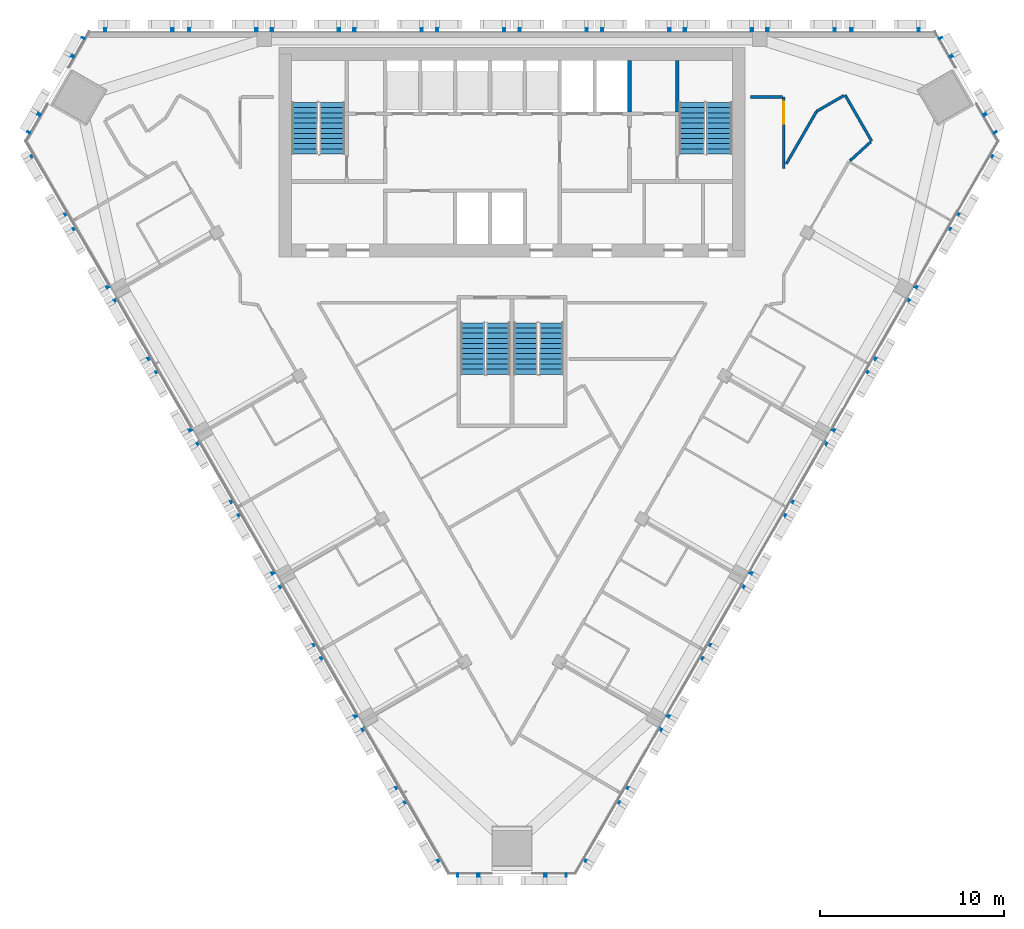
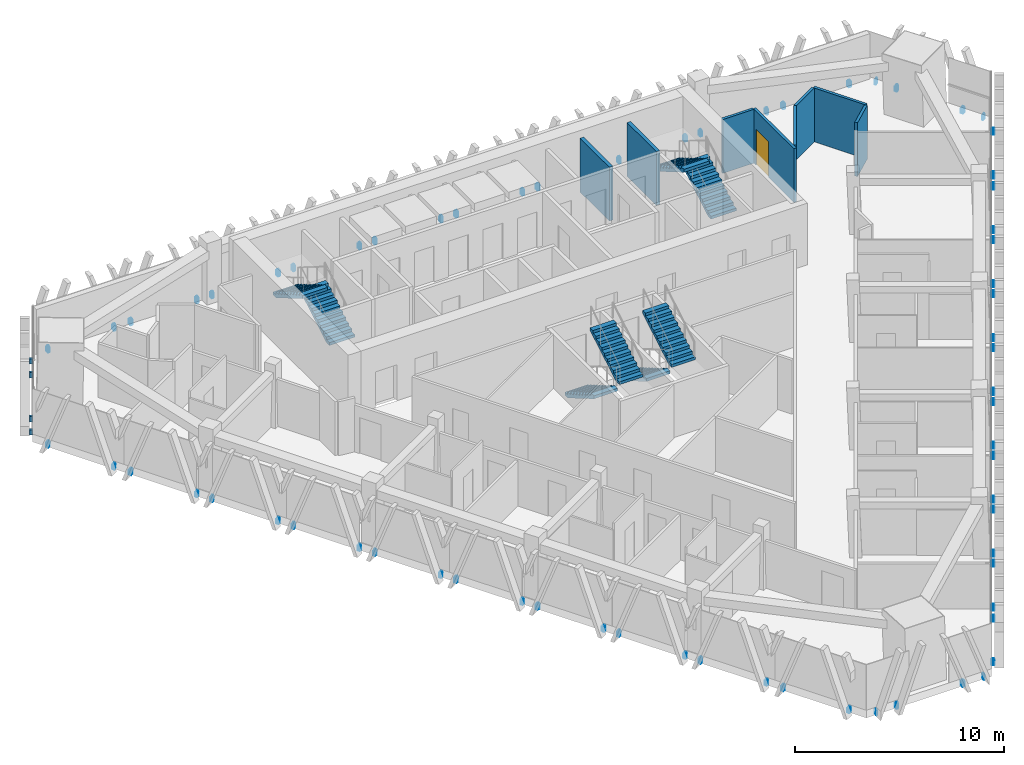
# One storey, part 12 of 15: 8 stair flights, 8 walls, 6 discrete accessories, 1 door, 1 opening, 4 elements without a shape of their own.
"""IFC4 building model written with IfcOpenShell, lengths in metres."""

from ifc_helpers import new_model, si_unit, direction, frame, frame_2d, origin, place, context, subcontext, project, spatial, polyline, rectangle, outline, extrude, source, transform, mapped, material, layer, layer_set, type_object, element, fill, aggregate, save


model = new_model("IFC4")

# Units and contexts
model_context = context("Model", 3, precision=1e-05, world=origin(), true_north=direction((0.0, 1.0)))
body_context = subcontext(model_context, "Body", "Model", "MODEL_VIEW")
ifc_project = project(units=[si_unit("LENGTHUNIT", "METRE"), si_unit("AREAUNIT", "SQUARE_METRE"), si_unit("VOLUMEUNIT", "CUBIC_METRE"), si_unit("PLANEANGLEUNIT", "RADIAN"), si_unit("MASSUNIT", "GRAM", prefix="KILO")], contexts=[model_context])

# Site, building, storey
site_placement = place(None, origin())
site = spatial("IfcSite", under=ifc_project, at=site_placement, CompositionType="ELEMENT")
building_placement = place(site_placement, origin())
building = spatial("IfcBuilding", under=site, at=building_placement, Name="Altiplano Prism Tower", CompositionType="ELEMENT")
storey_placement = place(building_placement, frame((0.0, 0.0, 171.0)))
storey = spatial("IfcBuildingStorey", under=building, at=storey_placement, Name="L44", CompositionType="ELEMENT", Elevation=171.0)

# Walls
ifc_material_1 = material(Name="Plasterboard on steel stud", Category="steel")
ifc_layer_1 = layer(ifc_material_1, 0.14990234375)
ifc_layer_set_1 = layer_set([ifc_layer_1], Name="Plasterboard on steel stud")
wall_type_1 = type_object("IfcWallType", Name="Partition 150 corridor", PredefinedType="PARTITIONING", material=ifc_layer_set_1)
wall_1_placement = place(storey_placement, frame((103.4140625, 97.931640625, 0.0), z_axis=(0.0, 0.0, 1.0), x_axis=(0.73878425035, 0.673942008955, 0.0)))
element("IfcWall", 1, at=wall_1_placement, inside=storey, type_object=wall_type_1, Name="Partition P06 L44 014", PredefinedType="PARTITIONING", context=body_context, shape_type="SweptSolid", body=[
    extrude(rectangle(XDim=1.521240234375, YDim=0.14990234375, at=frame_2d((0.7607421875, 0.0))), origin(), (0.0, 0.0, 1.0), 3.14990234375),
])
wall_2_placement = place(storey_placement, frame((104.592041015625, 99.006103515625, 0.0), z_axis=(0.0, 0.0, 1.0), x_axis=(-0.499987231761, 0.866032775405, 0.0)))
element("IfcWall", 2, at=wall_2_placement, inside=storey, type_object=wall_type_1, Name="Partition P06 L44 015", PredefinedType="PARTITIONING", context=body_context, shape_type="SweptSolid", body=[
    extrude(rectangle(XDim=2.89990234375, YDim=0.14990234375, at=frame_2d((1.449951171875, 0.0))), origin(), (0.0, 0.0, 1.0), 3.14990234375),
])
wall_3_placement = place(storey_placement, frame((103.0771484375, 101.47998046875, 0.0), z_axis=(0.0, 0.0, 1.0), x_axis=(-0.866078867041, -0.499907387488, 0.0)))
element("IfcWall", 3, at=wall_3_placement, inside=storey, type_object=wall_type_1, Name="Partition P06 L44 016", PredefinedType="PARTITIONING", context=body_context, shape_type="SweptSolid", body=[
    extrude(rectangle(XDim=1.714111328125, YDim=0.14990234375, at=frame_2d((0.85693359375, 0.0))), origin(), (0.0, 0.0, 1.0), 3.14990234375),
])
wall_4_placement = place(storey_placement, frame((101.592529296875, 100.623046875, 0.0), z_axis=(0.0, 0.0, 1.0), x_axis=(-0.499976073514, -0.866039217307, 0.0)))
element("IfcWall", 4, at=wall_4_placement, inside=storey, type_object=wall_type_1, Name="Partition P06 L44 017", PredefinedType="PARTITIONING", context=body_context, shape_type="SweptSolid", body=[
    extrude(rectangle(XDim=3.305419921875, YDim=0.14990234375, at=frame_2d((1.65283203125, 0.0))), origin(), (0.0, 0.0, 1.0), 3.14990234375),
])

# Wall, opening, door
wall_5_placement = place(storey_placement, frame((99.800048828125, 97.51806640625, 0.0), z_axis=(0.0, 0.0, 1.0), x_axis=(0.0, 1.0, 0.0)))
wall_5 = element("IfcWall", 5, at=wall_5_placement, inside=storey, type_object=wall_type_1, Name="Partition P06 L44 018", PredefinedType="PARTITIONING", context=body_context, shape_type="SweptSolid", body=[
    extrude(rectangle(XDim=3.8818359375, YDim=0.14990234375, at=frame_2d((1.94091796875, 0.0))), origin(), (0.0, 0.0, 1.0), 3.14990234375),
])
opening_placement = place(wall_5_placement, frame((2.43896484375, 0.0, 0.0)))
opening = element("IfcOpeningElement", 6, at=opening_placement, cuts=wall_5, Name="Opening D1571", PredefinedType="OPENING", context=body_context, shape_type="SweptSolid", body=[
    extrude(rectangle(XDim=1.199951171875, YDim=2.10009765625, at=frame_2d((0.60009765625, 1.050048828125))), frame((0.0, 0.08544921875, 0.0), z_axis=(0.0, -1.0, 0.0), x_axis=(1.0, 0.0, 0.0)), (0.0, 0.0, 1.0), 0.1708984375),
])
ifc_material_2 = material(Name="Timber", Category="wood")
door_type = type_object("IfcDoorType", Name="Shared room door 1200 x 2100", OperationType="NOTDEFINED", PredefinedType="NOTDEFINED", material=ifc_material_2)
door_placement = place(opening_placement, origin())
door = element("IfcDoor", 7, at=door_placement, inside=storey, type_object=door_type, Name="Door D1571", OperationType="SINGLE_SWING_RIGHT", OverallHeight=2.10009765625, OverallWidth=1.199951171875, PredefinedType="NOTDEFINED", context=body_context, shape_type="SweptSolid", body=[
    extrude(rectangle(XDim=1.199951171875, YDim=2.10009765625, at=frame_2d((0.60009765625, 1.050048828125))), frame((0.0, 0.02490234375, 0.0), z_axis=(0.0, -1.0, 0.0), x_axis=(1.0, 0.0, 0.0)), (0.0, 0.0, 1.0), 0.050048828125),
])
fill(opening, door)

# Walls
wall_6_placement = place(storey_placement, frame((99.72509765625, 101.39990234375, 0.0), z_axis=(0.0, 0.0, 1.0), x_axis=(-1.0, 0.0, 0.0)))
element("IfcWall", 8, at=wall_6_placement, inside=storey, type_object=wall_type_1, Name="Partition P06 L44 019", PredefinedType="PARTITIONING", context=body_context, shape_type="SweptSolid", body=[
    extrude(rectangle(XDim=1.72509765625, YDim=0.14990234375, at=frame_2d((0.862548828125, 0.0))), origin(), (0.0, 0.0, 1.0), 3.14990234375),
])
ifc_material_3 = material(Name="Concrete C60/75", Category="concrete")
ifc_layer_2 = layer(ifc_material_3, 0.199951171875)
ifc_layer_set_2 = layer_set([ifc_layer_2], Name="Concrete C60/75")
wall_type_2 = type_object("IfcWallType", Name="Shaft wall 200", PredefinedType="SOLIDWALL", material=ifc_layer_set_2)
wall_7_placement = place(storey_placement, frame((91.39990234375, 100.60009765625, 0.0), z_axis=(0.0, 0.0, 1.0), x_axis=(0.0, 1.0, 0.0)))
element("IfcWall", 9, at=wall_7_placement, inside=storey, type_object=wall_type_2, Name="Shaft wall L44", PredefinedType="SOLIDWALL", context=body_context, shape_type="SweptSolid", body=[
    extrude(rectangle(XDim=2.7998046875, YDim=0.199951171875, at=frame_2d((1.39990234375, 0.0))), origin(), (0.0, 0.0, 1.0), 3.14990234375),
])
ifc_layer_3 = layer(ifc_material_3, 0.199951171875)
ifc_layer_set_3 = layer_set([ifc_layer_3], Name="Concrete C60/75")
wall_type_3 = type_object("IfcWallType", Name="Stair wall 200", PredefinedType="SOLIDWALL", material=ifc_layer_set_3)
wall_8_placement = place(storey_placement, frame((94.0, 100.60009765625, 0.0), z_axis=(0.0, 0.0, 1.0), x_axis=(0.0, 1.0, 0.0)))
element("IfcWall", 10, at=wall_8_placement, inside=storey, type_object=wall_type_3, Name="Stair wall L44", PredefinedType="SOLIDWALL", context=body_context, shape_type="SweptSolid", body=[
    extrude(rectangle(XDim=2.7998046875, YDim=0.199951171875, at=frame_2d((1.39990234375, 0.0))), origin(), (0.0, 0.0, 1.0), 3.14990234375),
])

# Stair, stair flights
ifc_material_4 = material(Name="Concrete C40/50", Category="concrete")
stair_type_1 = type_object("IfcStairType", Name="Exit stair 1400", PredefinedType="HALF_TURN_STAIR", material=ifc_material_4)
stair_1_placement = place(storey_placement, origin())
stair_1 = element("IfcStair", 11, at=stair_1_placement, inside=storey, type_object=stair_type_1, Name="L44 Exit Stair 1", PredefinedType="HALF_TURN_STAIR")
stair_flight_type = type_object("IfcStairFlightType", Name="Stair flight concrete 150", PredefinedType="STRAIGHT", material=ifc_material_4)
stair_flight_1_placement = place(storey_placement, frame((75.199951171875, 98.300048828125, 0.0), z_axis=(0.0, 0.0, 1.0), x_axis=(0.0, 1.0, 0.0)))
stair_flight_1 = element("IfcStairFlight", 12, at=stair_flight_1_placement, type_object=stair_flight_type, Name="ST1 flight 1", NumberOfRisers=11, NumberOfTreads=10, PredefinedType="STRAIGHT", RiserHeight=0.163636364, TreadLength=0.28, context=body_context, shape_type="SweptSolid", body=[
    extrude(outline(polyline([(0.0, 0.0), (0.0, 0.16357421875), (0.280029296875, 0.16357421875), (0.280029296875, 0.327392578125), (0.56005859375, 0.327392578125), (0.56005859375, 0.490966796875), (0.840087890625, 0.490966796875), (0.840087890625, 0.654541015625), (1.1201171875, 0.654541015625), (1.1201171875, 0.818115234375), (1.39990234375, 0.818115234375), (1.39990234375, 0.98193359375), (1.679931640625, 0.98193359375), (1.679931640625, 1.1455078125), (1.9599609375, 1.1455078125), (1.9599609375, 1.30908203125), (2.239990234375, 1.30908203125), (2.239990234375, 1.47265625), (2.52001953125, 1.47265625), (2.52001953125, 1.636474609375), (2.800048828125, 1.636474609375), (2.800048828125, 1.800048828125), (2.800048828125, 1.462646484375), (0.297119140625, 0.0), (0.0, 0.0)])), frame((0.0, 0.699951171875, 0.0), z_axis=(0.0, -1.0, 0.0), x_axis=(1.0, 0.0, 0.0)), (0.0, 0.0, 1.0), 1.39990234375),
])
stair_flight_2_placement = place(storey_placement, frame((73.699951171875, 101.10009765625, 1.800048828125), z_axis=(0.0, 0.0, 1.0), x_axis=(0.0, -1.0, 0.0)))
stair_flight_2 = element("IfcStairFlight", 13, at=stair_flight_2_placement, type_object=stair_flight_type, Name="ST1 flight 2", NumberOfRisers=11, NumberOfTreads=10, PredefinedType="STRAIGHT", RiserHeight=0.163636364, TreadLength=0.28, context=body_context, shape_type="SweptSolid", body=[
    extrude(outline(polyline([(0.0, 0.0), (0.0, 0.16357421875), (0.280029296875, 0.16357421875), (0.280029296875, 0.327392578125), (0.56005859375, 0.327392578125), (0.56005859375, 0.490966796875), (0.840087890625, 0.490966796875), (0.840087890625, 0.654541015625), (1.1201171875, 0.654541015625), (1.1201171875, 0.818115234375), (1.39990234375, 0.818115234375), (1.39990234375, 0.98193359375), (1.679931640625, 0.98193359375), (1.679931640625, 1.1455078125), (1.9599609375, 1.1455078125), (1.9599609375, 1.30908203125), (2.239990234375, 1.30908203125), (2.239990234375, 1.47265625), (2.52001953125, 1.47265625), (2.52001953125, 1.636474609375), (2.800048828125, 1.636474609375), (2.800048828125, 1.800048828125), (2.800048828125, 1.462646484375), (0.297119140625, 0.0), (0.0, 0.0)])), frame((0.0, 0.699951171875, 0.0), z_axis=(0.0, -1.0, 0.0), x_axis=(1.0, 0.0, 0.0)), (0.0, 0.0, 1.0), 1.39990234375),
])
aggregate(stair_1, [stair_flight_1, stair_flight_2])

stair_2_placement = place(storey_placement, origin())
stair_2 = element("IfcStair", 14, at=stair_2_placement, inside=storey, type_object=stair_type_1, Name="L44 Exit Stair 2", PredefinedType="HALF_TURN_STAIR")
stair_flight_3_placement = place(storey_placement, frame((96.300048828125, 98.300048828125, 0.0), z_axis=(0.0, 0.0, 1.0), x_axis=(0.0, 1.0, 0.0)))
stair_flight_3 = element("IfcStairFlight", 15, at=stair_flight_3_placement, type_object=stair_flight_type, Name="ST2 flight 1", NumberOfRisers=11, NumberOfTreads=10, PredefinedType="STRAIGHT", RiserHeight=0.163636364, TreadLength=0.28, context=body_context, shape_type="SweptSolid", body=[
    extrude(outline(polyline([(0.0, 0.0), (0.0, 0.16357421875), (0.280029296875, 0.16357421875), (0.280029296875, 0.327392578125), (0.56005859375, 0.327392578125), (0.56005859375, 0.490966796875), (0.840087890625, 0.490966796875), (0.840087890625, 0.654541015625), (1.1201171875, 0.654541015625), (1.1201171875, 0.818115234375), (1.39990234375, 0.818115234375), (1.39990234375, 0.98193359375), (1.679931640625, 0.98193359375), (1.679931640625, 1.1455078125), (1.9599609375, 1.1455078125), (1.9599609375, 1.30908203125), (2.239990234375, 1.30908203125), (2.239990234375, 1.47265625), (2.52001953125, 1.47265625), (2.52001953125, 1.636474609375), (2.800048828125, 1.636474609375), (2.800048828125, 1.800048828125), (2.800048828125, 1.462646484375), (0.297119140625, 0.0), (0.0, 0.0)])), frame((0.0, 0.699951171875, 0.0), z_axis=(0.0, -1.0, 0.0), x_axis=(1.0, 0.0, 0.0)), (0.0, 0.0, 1.0), 1.39990234375),
])
stair_flight_4_placement = place(storey_placement, frame((94.800048828125, 101.10009765625, 1.800048828125), z_axis=(0.0, 0.0, 1.0), x_axis=(0.0, -1.0, 0.0)))
stair_flight_4 = element("IfcStairFlight", 16, at=stair_flight_4_placement, type_object=stair_flight_type, Name="ST2 flight 2", NumberOfRisers=11, NumberOfTreads=10, PredefinedType="STRAIGHT", RiserHeight=0.163636364, TreadLength=0.28, context=body_context, shape_type="SweptSolid", body=[
    extrude(outline(polyline([(0.0, 0.0), (0.0, 0.16357421875), (0.280029296875, 0.16357421875), (0.280029296875, 0.327392578125), (0.56005859375, 0.327392578125), (0.56005859375, 0.490966796875), (0.840087890625, 0.490966796875), (0.840087890625, 0.654541015625), (1.1201171875, 0.654541015625), (1.1201171875, 0.818115234375), (1.39990234375, 0.818115234375), (1.39990234375, 0.98193359375), (1.679931640625, 0.98193359375), (1.679931640625, 1.1455078125), (1.9599609375, 1.1455078125), (1.9599609375, 1.30908203125), (2.239990234375, 1.30908203125), (2.239990234375, 1.47265625), (2.52001953125, 1.47265625), (2.52001953125, 1.636474609375), (2.800048828125, 1.636474609375), (2.800048828125, 1.800048828125), (2.800048828125, 1.462646484375), (0.297119140625, 0.0), (0.0, 0.0)])), frame((0.0, 0.699951171875, 0.0), z_axis=(0.0, -1.0, 0.0), x_axis=(1.0, 0.0, 0.0)), (0.0, 0.0, 1.0), 1.39990234375),
])
aggregate(stair_2, [stair_flight_3, stair_flight_4])

stair_type_2 = type_object("IfcStairType", Name="Exit stair 1300", PredefinedType="HALF_TURN_STAIR", material=ifc_material_4)
stair_3_placement = place(storey_placement, origin())
stair_3 = element("IfcStair", 17, at=stair_3_placement, inside=storey, type_object=stair_type_2, Name="L44 Exit Stair 3A", PredefinedType="HALF_TURN_STAIR")
stair_flight_5_placement = place(storey_placement, frame((82.85009765625, 89.10009765625, 0.0), z_axis=(0.0, 0.0, 1.0), x_axis=(0.0, -1.0, 0.0)))
stair_flight_5 = element("IfcStairFlight", 18, at=stair_flight_5_placement, type_object=stair_flight_type, Name="ST3A flight 1", NumberOfRisers=11, NumberOfTreads=10, PredefinedType="STRAIGHT", RiserHeight=0.163636364, TreadLength=0.28, context=body_context, shape_type="SweptSolid", body=[
    extrude(outline(polyline([(0.0, 0.0), (0.0, 0.16357421875), (0.280029296875, 0.16357421875), (0.280029296875, 0.327392578125), (0.56005859375, 0.327392578125), (0.56005859375, 0.490966796875), (0.840087890625, 0.490966796875), (0.840087890625, 0.654541015625), (1.1201171875, 0.654541015625), (1.1201171875, 0.818115234375), (1.39990234375, 0.818115234375), (1.39990234375, 0.98193359375), (1.679931640625, 0.98193359375), (1.679931640625, 1.1455078125), (1.9599609375, 1.1455078125), (1.9599609375, 1.30908203125), (2.239990234375, 1.30908203125), (2.239990234375, 1.47265625), (2.52001953125, 1.47265625), (2.52001953125, 1.636474609375), (2.800048828125, 1.636474609375), (2.800048828125, 1.800048828125), (2.800048828125, 1.462646484375), (0.297119140625, 0.0), (0.0, 0.0)])), frame((0.0, 0.64990234375, 0.0), z_axis=(0.0, -1.0, 0.0), x_axis=(1.0, 0.0, 0.0)), (0.0, 0.0, 1.0), 1.300048828125),
])
stair_flight_6_placement = place(storey_placement, frame((84.25, 86.300048828125, 1.800048828125), z_axis=(0.0, 0.0, 1.0), x_axis=(0.0, 1.0, 0.0)))
stair_flight_6 = element("IfcStairFlight", 19, at=stair_flight_6_placement, type_object=stair_flight_type, Name="ST3A flight 2", NumberOfRisers=11, NumberOfTreads=10, PredefinedType="STRAIGHT", RiserHeight=0.163636364, TreadLength=0.28, context=body_context, shape_type="SweptSolid", body=[
    extrude(outline(polyline([(0.0, 0.0), (0.0, 0.16357421875), (0.280029296875, 0.16357421875), (0.280029296875, 0.327392578125), (0.56005859375, 0.327392578125), (0.56005859375, 0.490966796875), (0.840087890625, 0.490966796875), (0.840087890625, 0.654541015625), (1.1201171875, 0.654541015625), (1.1201171875, 0.818115234375), (1.39990234375, 0.818115234375), (1.39990234375, 0.98193359375), (1.679931640625, 0.98193359375), (1.679931640625, 1.1455078125), (1.9599609375, 1.1455078125), (1.9599609375, 1.30908203125), (2.239990234375, 1.30908203125), (2.239990234375, 1.47265625), (2.52001953125, 1.47265625), (2.52001953125, 1.636474609375), (2.800048828125, 1.636474609375), (2.800048828125, 1.800048828125), (2.800048828125, 1.462646484375), (0.297119140625, 0.0), (0.0, 0.0)])), frame((0.0, 0.64990234375, 0.0), z_axis=(0.0, -1.0, 0.0), x_axis=(1.0, 0.0, 0.0)), (0.0, 0.0, 1.0), 1.300048828125),
])
aggregate(stair_3, [stair_flight_5, stair_flight_6])

stair_4_placement = place(storey_placement, origin())
stair_4 = element("IfcStair", 20, at=stair_4_placement, inside=storey, type_object=stair_type_2, Name="L44 Exit Stair 3B", PredefinedType="HALF_TURN_STAIR")
stair_flight_7_placement = place(storey_placement, frame((85.75, 89.10009765625, 0.0), z_axis=(0.0, 0.0, 1.0), x_axis=(0.0, -1.0, 0.0)))
stair_flight_7 = element("IfcStairFlight", 21, at=stair_flight_7_placement, type_object=stair_flight_type, Name="ST3B flight 1", NumberOfRisers=11, NumberOfTreads=10, PredefinedType="STRAIGHT", RiserHeight=0.163636364, TreadLength=0.28, context=body_context, shape_type="SweptSolid", body=[
    extrude(outline(polyline([(0.0, 0.0), (0.0, 0.16357421875), (0.280029296875, 0.16357421875), (0.280029296875, 0.327392578125), (0.56005859375, 0.327392578125), (0.56005859375, 0.490966796875), (0.840087890625, 0.490966796875), (0.840087890625, 0.654541015625), (1.1201171875, 0.654541015625), (1.1201171875, 0.818115234375), (1.39990234375, 0.818115234375), (1.39990234375, 0.98193359375), (1.679931640625, 0.98193359375), (1.679931640625, 1.1455078125), (1.9599609375, 1.1455078125), (1.9599609375, 1.30908203125), (2.239990234375, 1.30908203125), (2.239990234375, 1.47265625), (2.52001953125, 1.47265625), (2.52001953125, 1.636474609375), (2.800048828125, 1.636474609375), (2.800048828125, 1.800048828125), (2.800048828125, 1.462646484375), (0.297119140625, 0.0), (0.0, 0.0)])), frame((0.0, 0.64990234375, 0.0), z_axis=(0.0, -1.0, 0.0), x_axis=(1.0, 0.0, 0.0)), (0.0, 0.0, 1.0), 1.300048828125),
])
stair_flight_8_placement = place(storey_placement, frame((87.14990234375, 86.300048828125, 1.800048828125), z_axis=(0.0, 0.0, 1.0), x_axis=(0.0, 1.0, 0.0)))
stair_flight_8 = element("IfcStairFlight", 22, at=stair_flight_8_placement, type_object=stair_flight_type, Name="ST3B flight 2", NumberOfRisers=11, NumberOfTreads=10, PredefinedType="STRAIGHT", RiserHeight=0.163636364, TreadLength=0.28, context=body_context, shape_type="SweptSolid", body=[
    extrude(outline(polyline([(0.0, 0.0), (0.0, 0.16357421875), (0.280029296875, 0.16357421875), (0.280029296875, 0.327392578125), (0.56005859375, 0.327392578125), (0.56005859375, 0.490966796875), (0.840087890625, 0.490966796875), (0.840087890625, 0.654541015625), (1.1201171875, 0.654541015625), (1.1201171875, 0.818115234375), (1.39990234375, 0.818115234375), (1.39990234375, 0.98193359375), (1.679931640625, 0.98193359375), (1.679931640625, 1.1455078125), (1.9599609375, 1.1455078125), (1.9599609375, 1.30908203125), (2.239990234375, 1.30908203125), (2.239990234375, 1.47265625), (2.52001953125, 1.47265625), (2.52001953125, 1.636474609375), (2.800048828125, 1.636474609375), (2.800048828125, 1.800048828125), (2.800048828125, 1.462646484375), (0.297119140625, 0.0), (0.0, 0.0)])), frame((0.0, 0.64990234375, 0.0), z_axis=(0.0, -1.0, 0.0), x_axis=(1.0, 0.0, 0.0)), (0.0, 0.0, 1.0), 1.300048828125),
])
aggregate(stair_4, [stair_flight_7, stair_flight_8])

# Discrete accessories
ifc_material_5 = material(Name="Stainless steel", Category="steel")
discrete_accessory_type = type_object("IfcDiscreteAccessoryType", Name="Stone fin fixing prongs", PredefinedType="USERDEFINED", material=ifc_material_5)
shared_shape_1 = source(origin(), body_context, "Body", "SweptSolid", [
    extrude(outline(polyline([(-1.888427734375, 0.06005859375), (-1.768310546875, 0.06005859375), (-1.768310546875, 0.389892578125), (-1.888427734375, 0.389892578125), (-1.888427734375, 0.06005859375)])), frame((0.0, 0.0, 0.0), z_axis=(0.0, -1.0, 0.0), x_axis=(1.0, 0.0, 0.0)), (0.0, 0.0, 1.0), 0.14990234375),
    extrude(outline(polyline([(1.768310546875, 0.06005859375), (1.888427734375, 0.06005859375), (1.888427734375, 0.389892578125), (1.768310546875, 0.389892578125), (1.768310546875, 0.06005859375)])), frame((0.0, 0.0, 0.0), z_axis=(0.0, -1.0, 0.0), x_axis=(1.0, 0.0, 0.0)), (0.0, 0.0, 1.0), 0.14990234375),
])
discrete_accessory_1_placement = place(storey_placement, origin())
element("IfcDiscreteAccessory", 23, at=discrete_accessory_1_placement, inside=storey, type_object=discrete_accessory_type, Name="Fin fixings L44 north face", ObjectType="BRACKET", PredefinedType="USERDEFINED", context=body_context, shape_type="MappedRepresentation", body=[
    mapped(shared_shape_1, transform((105.326416015625, 105.0, -0.449951171875), x_axis=(-1.0, 0.0, 0.0), y_axis=(0.0, -1.0, 0.0), z_axis=(0.0, 0.0, 1.0))),
    mapped(shared_shape_1, transform((100.75, 105.0, -0.449951171875), x_axis=(-1.0, 0.0, 0.0), y_axis=(0.0, -1.0, 0.0), z_axis=(0.0, 0.0, 1.0))),
    mapped(shared_shape_1, transform((96.25, 105.0, -0.449951171875), x_axis=(-1.0, 0.0, 0.0), y_axis=(0.0, -1.0, 0.0), z_axis=(0.0, 0.0, 1.0))),
    mapped(shared_shape_1, transform((91.75, 105.0, -0.449951171875), x_axis=(-1.0, 0.0, 0.0), y_axis=(0.0, -1.0, 0.0), z_axis=(0.0, 0.0, 1.0))),
    mapped(shared_shape_1, transform((87.25, 105.0, -0.449951171875), x_axis=(-1.0, 0.0, 0.0), y_axis=(0.0, -1.0, 0.0), z_axis=(0.0, 0.0, 1.0))),
    mapped(shared_shape_1, transform((82.75, 105.0, -0.449951171875), x_axis=(-1.0, 0.0, 0.0), y_axis=(0.0, -1.0, 0.0), z_axis=(0.0, 0.0, 1.0))),
    mapped(shared_shape_1, transform((78.25, 105.0, -0.449951171875), x_axis=(-1.0, 0.0, 0.0), y_axis=(0.0, -1.0, 0.0), z_axis=(0.0, 0.0, 1.0))),
    mapped(shared_shape_1, transform((73.75, 105.0, -0.449951171875), x_axis=(-1.0, 0.0, 0.0), y_axis=(0.0, -1.0, 0.0), z_axis=(0.0, 0.0, 1.0))),
    mapped(shared_shape_1, transform((69.25, 105.0, -0.449951171875), x_axis=(-1.0, 0.0, 0.0), y_axis=(0.0, -1.0, 0.0), z_axis=(0.0, 0.0, 1.0))),
    mapped(shared_shape_1, transform((64.673583984375, 105.0, -0.449951171875), x_axis=(-1.0, 0.0, 0.0), y_axis=(0.0, -1.0, 0.0), z_axis=(0.0, 0.0, 1.0))),
])
discrete_accessory_2_placement = place(storey_placement, origin())
element("IfcDiscreteAccessory", 24, at=discrete_accessory_2_placement, inside=storey, type_object=discrete_accessory_type, Name="Fin fixings L44 south-west face", ObjectType="BRACKET", PredefinedType="USERDEFINED", context=body_context, shape_type="MappedRepresentation", body=[
    mapped(shared_shape_1, transform((59.849853515625, 96.64501953125, -0.449951171875), x_axis=(0.499999992175, -0.866025408302, 0.0), y_axis=(0.866025408302, 0.499999992175, 0.0), z_axis=(0.0, 0.0, 1.0))),
    mapped(shared_shape_1, transform((62.137939453125, 92.681640625, -0.449951171875), x_axis=(0.499999992175, -0.866025408302, 0.0), y_axis=(0.866025408302, 0.499999992175, 0.0), z_axis=(0.0, 0.0, 1.0))),
    mapped(shared_shape_1, transform((64.387939453125, 88.78466796875, -0.449951171875), x_axis=(0.499999992175, -0.866025408302, 0.0), y_axis=(0.866025408302, 0.499999992175, 0.0), z_axis=(0.0, 0.0, 1.0))),
    mapped(shared_shape_1, transform((66.637939453125, 84.887451171875, -0.449951171875), x_axis=(0.499999992175, -0.866025408302, 0.0), y_axis=(0.866025408302, 0.499999992175, 0.0), z_axis=(0.0, 0.0, 1.0))),
    mapped(shared_shape_1, transform((68.887939453125, 80.990478515625, -0.449951171875), x_axis=(0.499999992175, -0.866025408302, 0.0), y_axis=(0.866025408302, 0.499999992175, 0.0), z_axis=(0.0, 0.0, 1.0))),
    mapped(shared_shape_1, transform((71.137939453125, 77.09326171875, -0.449951171875), x_axis=(0.499999992175, -0.866025408302, 0.0), y_axis=(0.866025408302, 0.499999992175, 0.0), z_axis=(0.0, 0.0, 1.0))),
    mapped(shared_shape_1, transform((73.387939453125, 73.1962890625, -0.449951171875), x_axis=(0.499999992175, -0.866025408302, 0.0), y_axis=(0.866025408302, 0.499999992175, 0.0), z_axis=(0.0, 0.0, 1.0))),
    mapped(shared_shape_1, transform((75.637939453125, 69.299072265625, -0.449951171875), x_axis=(0.499999992175, -0.866025408302, 0.0), y_axis=(0.866025408302, 0.499999992175, 0.0), z_axis=(0.0, 0.0, 1.0))),
    mapped(shared_shape_1, transform((77.887939453125, 65.40185546875, -0.449951171875), x_axis=(0.499999992175, -0.866025408302, 0.0), y_axis=(0.866025408302, 0.499999992175, 0.0), z_axis=(0.0, 0.0, 1.0))),
    mapped(shared_shape_1, transform((80.17626953125, 61.438720703125, -0.449951171875), x_axis=(0.499999992175, -0.866025408302, 0.0), y_axis=(0.866025408302, 0.499999992175, 0.0), z_axis=(0.0, 0.0, 1.0))),
])
discrete_accessory_3_placement = place(storey_placement, origin())
element("IfcDiscreteAccessory", 25, at=discrete_accessory_3_placement, inside=storey, type_object=discrete_accessory_type, Name="Fin fixings L44 south-east face", ObjectType="BRACKET", PredefinedType="USERDEFINED", context=body_context, shape_type="MappedRepresentation", body=[
    mapped(shared_shape_1, transform((89.82373046875, 61.438720703125, -0.449951171875), x_axis=(0.499999992175, 0.866025408302, 0.0), y_axis=(-0.866025408302, 0.499999992175, 0.0), z_axis=(0.0, 0.0, 1.0))),
    mapped(shared_shape_1, transform((92.112060546875, 65.40185546875, -0.449951171875), x_axis=(0.499999992175, 0.866025408302, 0.0), y_axis=(-0.866025408302, 0.499999992175, 0.0), z_axis=(0.0, 0.0, 1.0))),
    mapped(shared_shape_1, transform((94.362060546875, 69.299072265625, -0.449951171875), x_axis=(0.499999992175, 0.866025408302, 0.0), y_axis=(-0.866025408302, 0.499999992175, 0.0), z_axis=(0.0, 0.0, 1.0))),
    mapped(shared_shape_1, transform((96.612060546875, 73.1962890625, -0.449951171875), x_axis=(0.499999992175, 0.866025408302, 0.0), y_axis=(-0.866025408302, 0.499999992175, 0.0), z_axis=(0.0, 0.0, 1.0))),
    mapped(shared_shape_1, transform((98.862060546875, 77.09326171875, -0.449951171875), x_axis=(0.499999992175, 0.866025408302, 0.0), y_axis=(-0.866025408302, 0.499999992175, 0.0), z_axis=(0.0, 0.0, 1.0))),
    mapped(shared_shape_1, transform((101.112060546875, 80.990478515625, -0.449951171875), x_axis=(0.499999992175, 0.866025408302, 0.0), y_axis=(-0.866025408302, 0.499999992175, 0.0), z_axis=(0.0, 0.0, 1.0))),
    mapped(shared_shape_1, transform((103.362060546875, 84.887451171875, -0.449951171875), x_axis=(0.499999992175, 0.866025408302, 0.0), y_axis=(-0.866025408302, 0.499999992175, 0.0), z_axis=(0.0, 0.0, 1.0))),
    mapped(shared_shape_1, transform((105.612060546875, 88.78466796875, -0.449951171875), x_axis=(0.499999992175, 0.866025408302, 0.0), y_axis=(-0.866025408302, 0.499999992175, 0.0), z_axis=(0.0, 0.0, 1.0))),
    mapped(shared_shape_1, transform((107.862060546875, 92.681640625, -0.449951171875), x_axis=(0.499999992175, 0.866025408302, 0.0), y_axis=(-0.866025408302, 0.499999992175, 0.0), z_axis=(0.0, 0.0, 1.0))),
    mapped(shared_shape_1, transform((110.150146484375, 96.64501953125, -0.449951171875), x_axis=(0.499999992175, 0.866025408302, 0.0), y_axis=(-0.866025408302, 0.499999992175, 0.0), z_axis=(0.0, 0.0, 1.0))),
])
shared_shape_2 = source(origin(), body_context, "Body", "SweptSolid", [
    extrude(outline(polyline([(-2.989990234375, 0.06005859375), (-2.9384765625, 0.06005859375), (-2.9384765625, 0.389892578125), (-2.989990234375, 0.389892578125), (-2.989990234375, 0.06005859375)])), frame((0.0, 0.0, 0.0), z_axis=(0.0, -1.0, 0.0), x_axis=(1.0, 0.0, 0.0)), (0.0, 0.0, 1.0), 0.14990234375),
    extrude(outline(polyline([(-1.888427734375, 0.06005859375), (-1.768310546875, 0.06005859375), (-1.768310546875, 0.389892578125), (-1.888427734375, 0.389892578125), (-1.888427734375, 0.06005859375)])), frame((0.0, 0.0, 0.0), z_axis=(0.0, -1.0, 0.0), x_axis=(1.0, 0.0, 0.0)), (0.0, 0.0, 1.0), 0.14990234375),
    extrude(outline(polyline([(1.768310546875, 0.06005859375), (1.888427734375, 0.06005859375), (1.888427734375, 0.389892578125), (1.768310546875, 0.389892578125), (1.768310546875, 0.06005859375)])), frame((0.0, 0.0, 0.0), z_axis=(0.0, -1.0, 0.0), x_axis=(1.0, 0.0, 0.0)), (0.0, 0.0, 1.0), 0.14990234375),
    extrude(outline(polyline([(2.9384765625, 0.06005859375), (2.989990234375, 0.06005859375), (2.989990234375, 0.389892578125), (2.9384765625, 0.389892578125), (2.9384765625, 0.06005859375)])), frame((0.0, 0.0, 0.0), z_axis=(0.0, -1.0, 0.0), x_axis=(1.0, 0.0, 0.0)), (0.0, 0.0, 1.0), 0.14990234375),
])
discrete_accessory_4_placement = place(storey_placement, origin())
element("IfcDiscreteAccessory", 26, at=discrete_accessory_4_placement, inside=storey, type_object=discrete_accessory_type, Name="Fin fixings L44 north-west chamfer", ObjectType="BRACKET", PredefinedType="USERDEFINED", context=body_context, shape_type="MappedRepresentation", body=[
    mapped(shared_shape_2, transform((60.217041015625, 102.0029296875, -0.449951171875), x_axis=(-0.50000001817, -0.866025393294, 0.0), y_axis=(0.866025393294, -0.50000001817, 0.0), z_axis=(0.0, 0.0, 1.0))),
])
discrete_accessory_5_placement = place(storey_placement, origin())
element("IfcDiscreteAccessory", 27, at=discrete_accessory_5_placement, inside=storey, type_object=discrete_accessory_type, Name="Fin fixings L44 south chamfer", ObjectType="BRACKET", PredefinedType="USERDEFINED", context=body_context, shape_type="MappedRepresentation", body=[
    mapped(shared_shape_2, transform((85.0, 59.07763671875, -0.449951171875), x_axis=(1.0, 0.0, 0.0), y_axis=(0.0, 1.0, 0.0), z_axis=(0.0, 0.0, 1.0))),
])
discrete_accessory_6_placement = place(storey_placement, origin())
element("IfcDiscreteAccessory", 28, at=discrete_accessory_6_placement, inside=storey, type_object=discrete_accessory_type, Name="Fin fixings L44 north-east chamfer", ObjectType="BRACKET", PredefinedType="USERDEFINED", context=body_context, shape_type="MappedRepresentation", body=[
    mapped(shared_shape_2, transform((109.782958984375, 102.0029296875, -0.449951171875), x_axis=(-0.50000001817, 0.866025393294, 0.0), y_axis=(-0.866025393294, -0.50000001817, 0.0), z_axis=(0.0, 0.0, 1.0))),
])

save(model, "model.ifc")
